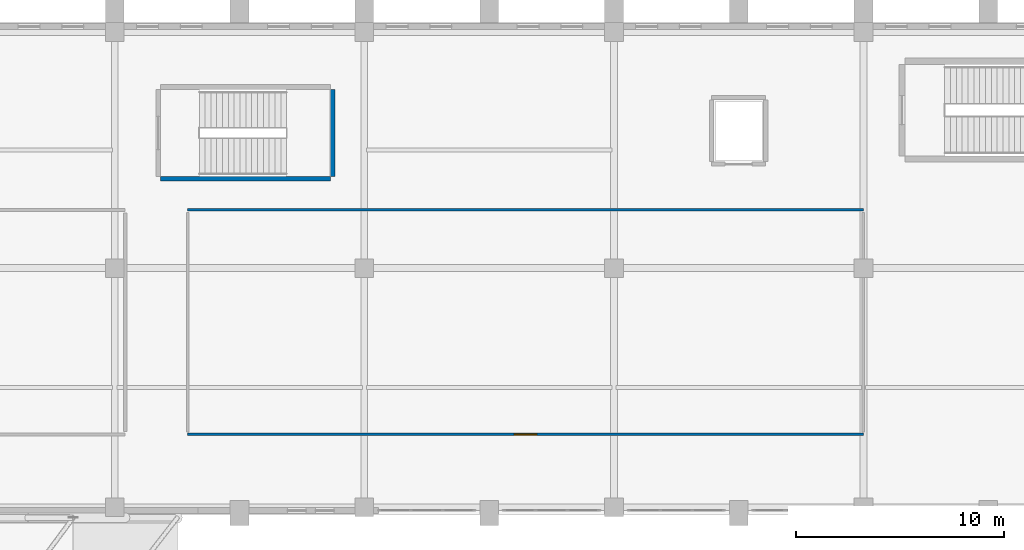
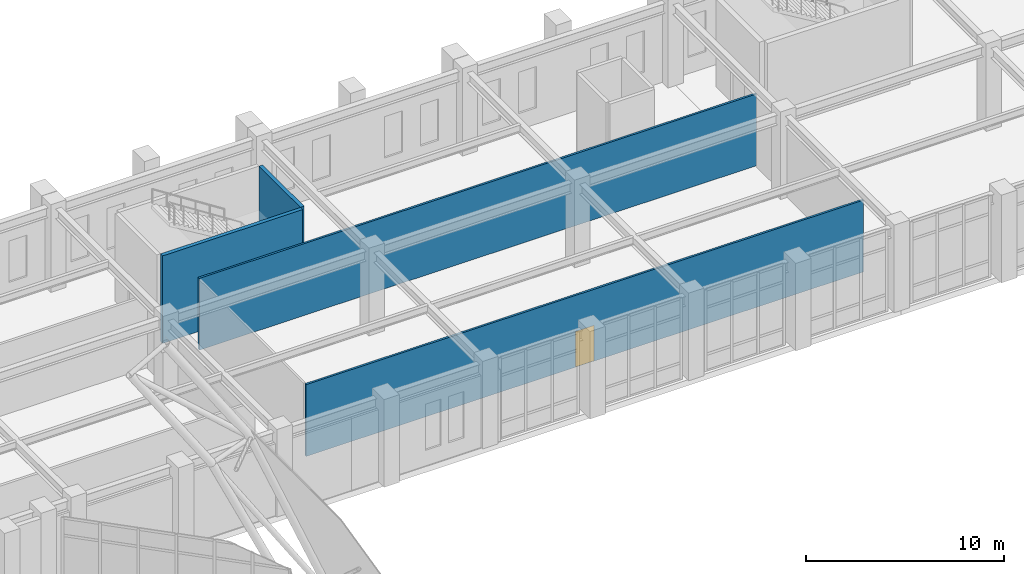
# One storey, part 133 of 159: 4 walls, 1 door, 1 opening.
"""IFC4 building model written with IfcOpenShell, lengths in metres."""

from ifc_helpers import new_model, si_unit, derived_unit, direction, frame, frame_2d, origin, place, context, subcontext, project, spatial, rectangle, extrude, material, layer, layer_set, type_object, element, fill, save


model = new_model("IFC4")

# Units and contexts
model_context = context("Model", 3, precision=1e-05, world=origin(), true_north=direction((0.0, 1.0)))
body_context = subcontext(model_context, "Body", "Model", "MODEL_VIEW")
ifc_project = project(units=[si_unit("LENGTHUNIT", "METRE"), si_unit("AREAUNIT", "SQUARE_METRE"), si_unit("VOLUMEUNIT", "CUBIC_METRE"), si_unit("PLANEANGLEUNIT", "RADIAN"), si_unit("MASSUNIT", "GRAM", prefix="KILO"), derived_unit("THERMALTRANSMITTANCEUNIT", [(si_unit("MASSUNIT", "GRAM", prefix="KILO"), 1), (si_unit("TIMEUNIT", "SECOND"), -3), (si_unit("THERMODYNAMICTEMPERATUREUNIT", "KELVIN"), -1)])], contexts=[model_context])

# Site, building, storey
site_placement = place(None, origin())
site = spatial("IfcSite", under=ifc_project, at=site_placement, CompositionType="ELEMENT")
building_placement = place(site_placement, origin())
building = spatial("IfcBuilding", under=site, at=building_placement, Name="Valcora Ridge Arena", CompositionType="ELEMENT")
storey_placement = place(building_placement, frame((0.0, 0.0, 6.0)))
storey = spatial("IfcBuildingStorey", under=building, at=storey_placement, Name="L01", CompositionType="ELEMENT", Elevation=6.0)

# Wall, opening, door
ifc_material_1 = material(Name="Acoustic metal-stud gypsum partition 120 mm")
ifc_layer_1 = layer(ifc_material_1, 0.1201171875, Name="Acoustic metal-stud gypsum partition 120 mm")
ifc_layer_set_1 = layer_set([ifc_layer_1], Name="Acoustic metal-stud gypsum partition 120 mm")
wall_type_1 = type_object("IfcWallType", Name="TY-WALL-IW-PART-120", PredefinedType="PARTITIONING", material=ifc_layer_set_1)
wall_1_placement = place(storey_placement, frame((111.5, 112.199951171875, 0.0), z_axis=(0.0, 0.0, 1.0), x_axis=(1.0, 0.0, 0.0)))
wall_1 = element("IfcWall", 1, at=wall_1_placement, inside=storey, type_object=wall_type_1, Name="IW-PART-120 WAL-IN-0341", PredefinedType="PARTITIONING", context=body_context, shape_type="SweptSolid", body=[
    extrude(rectangle(XDim=32.5, YDim=0.1201171875, at=frame_2d((16.25, 0.0))), origin(), (0.0, 0.0, 1.0), 4.427978515625),
])
opening_placement = place(wall_1_placement, frame((15.699951171875, 0.0, 0.0)))
opening = element("IfcOpeningElement", 2, at=opening_placement, cuts=wall_1, Name="Opening D-INT-1100", PredefinedType="OPENING", context=body_context, shape_type="SweptSolid", body=[
    extrude(rectangle(XDim=1.10009765625, YDim=2.199951171875, at=frame_2d((0.550048828125, 1.10009765625))), frame((0.0, 0.070068359375, 0.0), z_axis=(0.0, -1.0, 0.0), x_axis=(1.0, 0.0, 0.0)), (0.0, 0.0, 1.0), 0.14013671875),
])
ifc_material_2 = material(Name="Solid-core acoustic timber veneer door leaf", Category="wood")
door_type = type_object("IfcDoorType", Name="TY-DOOR-D-INT-1100", OperationType="NOTDEFINED", PredefinedType="DOOR", material=ifc_material_2)
door_placement = place(opening_placement, origin())
door = element("IfcDoor", 3, at=door_placement, inside=storey, type_object=door_type, Name="D-INT-1100 DOR-IN-0090", OperationType="SINGLE_SWING_LEFT", OverallHeight=2.199951171875, OverallWidth=1.10009765625, PredefinedType="DOOR", context=body_context, shape_type="SweptSolid", body=[
    extrude(rectangle(XDim=1.10009765625, YDim=2.199951171875, at=frame_2d((0.550048828125, 1.10009765625))), frame((0.0, 0.02490234375, 0.0), z_axis=(0.0, -1.0, 0.0), x_axis=(1.0, 0.0, 0.0)), (0.0, 0.0, 1.0), 0.050048828125),
])
fill(opening, door)

# Walls
wall_2_placement = place(storey_placement, frame((111.5, 123.0, 0.0), z_axis=(0.0, 0.0, 1.0), x_axis=(1.0, 0.0, 0.0)))
element("IfcWall", 4, at=wall_2_placement, inside=storey, type_object=wall_type_1, Name="IW-PART-120 WAL-IN-0342", PredefinedType="PARTITIONING", context=body_context, shape_type="SweptSolid", body=[
    extrude(rectangle(XDim=32.5, YDim=0.1201171875, at=frame_2d((16.25, 0.0))), origin(), (0.0, 0.0, 1.0), 4.427978515625),
])
ifc_material_3 = material(Name="Fire-resisting reinforced concrete enclosure C40/50 200 mm", Category="concrete")
ifc_layer_2 = layer(ifc_material_3, 0.219970703125, Name="Fire-resisting reinforced concrete enclosure C40/50 200 mm")
ifc_layer_set_2 = layer_set([ifc_layer_2], Name="Fire-resisting reinforced concrete enclosure C40/50 200 mm")
wall_type_2 = type_object("IfcWallType", Name="TY-WALL-SW-ES-220", PredefinedType="SHEAR", material=ifc_layer_set_2)
wall_3_placement = place(storey_placement, frame((110.199951171875, 124.489990234375, 0.0), z_axis=(0.0, 0.0, 1.0), x_axis=(1.0, 0.0, 0.0)))
element("IfcWall", 5, at=wall_3_placement, inside=storey, type_object=wall_type_2, Name="SW-ES-220 WAL-ES-0193", PredefinedType="SHEAR", context=body_context, shape_type="SweptSolid", body=[
    extrude(rectangle(XDim=8.16015625, YDim=0.219970703125, at=frame_2d((4.080078125, 0.0))), origin(), (0.0, 0.0, 1.0), 5.39990234375),
])
wall_4_placement = place(storey_placement, frame((118.469970703125, 124.60009765625, 0.0), z_axis=(0.0, 0.0, 1.0), x_axis=(0.0, 1.0, 0.0)))
element("IfcWall", 6, at=wall_4_placement, inside=storey, type_object=wall_type_2, Name="SW-ES-220 WAL-ES-0196", PredefinedType="SHEAR", context=body_context, shape_type="SweptSolid", body=[
    extrude(rectangle(XDim=4.199951171875, YDim=0.219970703125, at=frame_2d((2.10009765625, 0.0))), origin(), (0.0, 0.0, 1.0), 5.39990234375),
])

save(model, "model.ifc")
